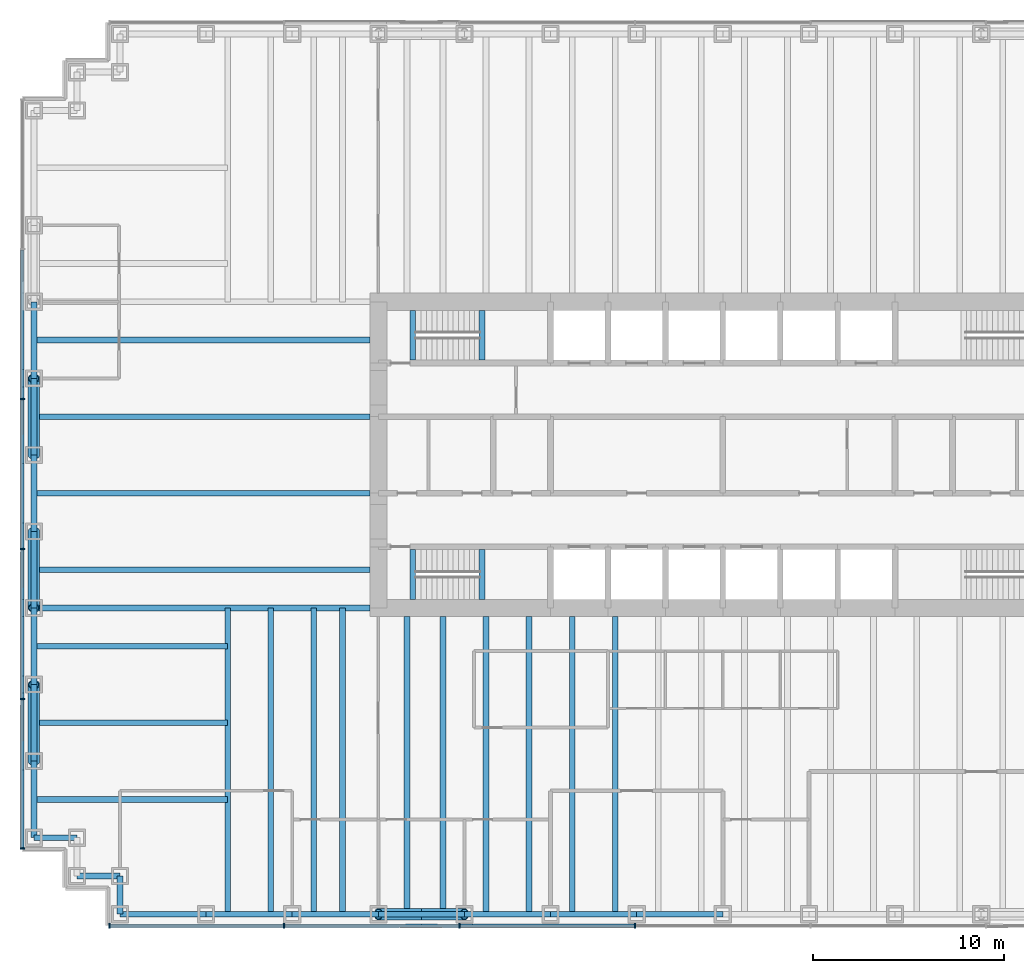
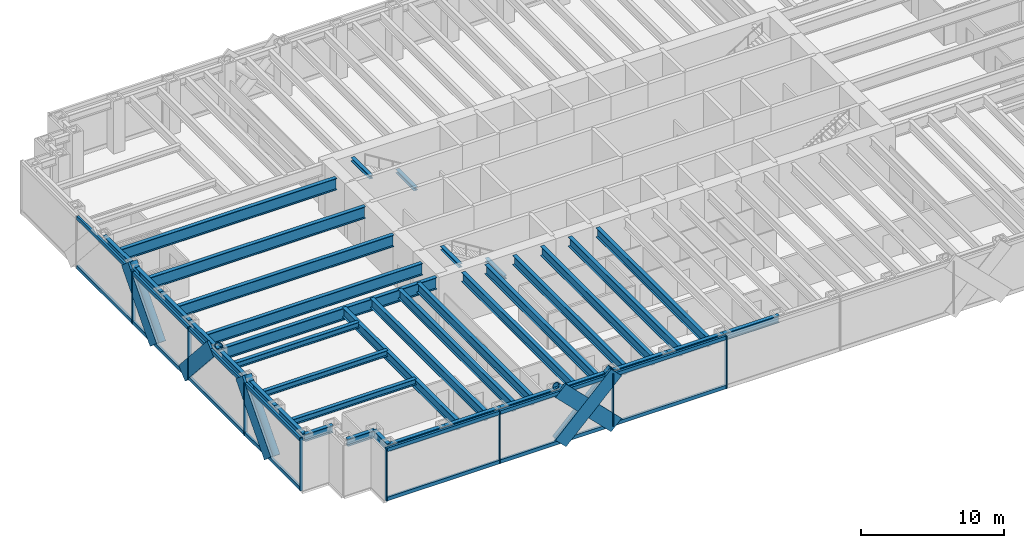
# One storey, part 2 of 13: 39 beams, 32 members, 2 elements without a shape of their own.
"""IFC4 building model written with IfcOpenShell, lengths in metres."""

from ifc_helpers import new_model, si_unit, direction, frame, origin, origin_2d, place, context, subcontext, project, spatial, rectangle, hollow_circle, i_section, extrude, material, material_profile, profile_set, type_object, element, aggregate, save


model = new_model("IFC4")

# Units and contexts
model_context = context("Model", 3, precision=1e-05, world=origin(), true_north=direction((0.0, 1.0)))
body_context = subcontext(model_context, "Body", "Model", "MODEL_VIEW")
ifc_project = project(units=[si_unit("LENGTHUNIT", "METRE"), si_unit("AREAUNIT", "SQUARE_METRE"), si_unit("VOLUMEUNIT", "CUBIC_METRE"), si_unit("PLANEANGLEUNIT", "RADIAN"), si_unit("MASSUNIT", "GRAM", prefix="KILO")], contexts=[model_context])

# Site, building, storey
site_placement = place(None, origin())
site = spatial("IfcSite", under=ifc_project, at=site_placement, CompositionType="ELEMENT")
building_placement = place(site_placement, origin())
building = spatial("IfcBuilding", under=site, at=building_placement, Name="Rheinbord Bourse Tower", CompositionType="ELEMENT")
storey_placement = place(building_placement, frame((0.0, 0.0, 45.5)))
storey = spatial("IfcBuildingStorey", under=building, at=storey_placement, Name="L09", CompositionType="ELEMENT", Elevation=45.5)

# Curtain wall, members
ifc_material_1 = material(Name="Dark glass and black aluminium", Category="aluminium")
curtain_wall_type = type_object("IfcCurtainWallType", Name="CW1 DARK GLASS CURTAIN WALL", PredefinedType="USERDEFINED", material=ifc_material_1)
curtain_wall_1_placement = place(storey_placement, origin())
curtain_wall_1 = element("IfcCurtainWall", 1, at=curtain_wall_1_placement, inside=storey, type_object=curtain_wall_type, Name="Curtain wall CW1 S L09", ObjectType="UNITISED CURTAIN WALL", PredefinedType="USERDEFINED")
ifc_material_2 = material(Name="Black anodised aluminium", Category="aluminium")
ifc_material_profile_1 = material_profile(ifc_material_2, rectangle(XDim=0.179931640625, YDim=1.2099609375, at=origin_2d()), Name="CW1 DIAGONAL MULLION 1210x180")
ifc_profile_set_1 = profile_set([ifc_material_profile_1], Name="Black anodised aluminium")
member_type_1 = type_object("IfcMemberType", Name="CW1 BLACK DIAGONAL MULLION", PredefinedType="USERDEFINED", material=ifc_profile_set_1)
member_1_placement = place(storey_placement, frame((22.5, -0.60009765625, 0.0), z_axis=(-0.707106781187, 0.0, 0.707106781187), x_axis=(0.0, -1.0, 0.0)))
member_1 = element("IfcMember", 2, at=member_1_placement, type_object=member_type_1, Name="CW1 diagonal mullion b", ObjectType="DIAGONAL MULLION", PredefinedType="USERDEFINED", context=body_context, shape_type="SweptSolid", body=[
    extrude(rectangle(XDim=0.179931640625, YDim=1.2099609375, at=origin_2d()), origin(), (0.0, 0.0, 1.0), 6.364013671875),
])
member_2_placement = place(storey_placement, frame((18.0, -0.60009765625, 0.0), z_axis=(0.707106781187, 0.0, 0.707106781187), x_axis=(0.0, 1.0, 0.0)))
member_2 = element("IfcMember", 3, at=member_2_placement, type_object=member_type_1, Name="CW1 diagonal mullion d", ObjectType="DIAGONAL MULLION", PredefinedType="USERDEFINED", context=body_context, shape_type="SweptSolid", body=[
    extrude(rectangle(XDim=0.179931640625, YDim=1.2099609375, at=origin_2d()), origin(), (0.0, 0.0, 1.0), 6.364013671875),
])

curtain_wall_2_placement = place(storey_placement, origin())
curtain_wall_2 = element("IfcCurtainWall", 4, at=curtain_wall_2_placement, inside=storey, type_object=curtain_wall_type, Name="Curtain wall CW1 W L09", ObjectType="UNITISED CURTAIN WALL", PredefinedType="USERDEFINED")
member_3_placement = place(storey_placement, frame((-0.60009765625, 8.0, 0.0), z_axis=(0.0, 0.66436383883, 0.747409318684), x_axis=(-1.0, 0.0, 0.0)))
member_3 = element("IfcMember", 5, at=member_3_placement, type_object=member_type_1, Name="CW1 diagonal mullion b", ObjectType="DIAGONAL MULLION", PredefinedType="USERDEFINED", context=body_context, shape_type="SweptSolid", body=[
    extrude(rectangle(XDim=0.179931640625, YDim=1.2099609375, at=origin_2d()), origin(), (0.0, 0.0, 1.0), 6.020751953125),
])
member_4_placement = place(storey_placement, frame((-0.60009765625, 20.0, 0.0), z_axis=(0.0, -0.66436383883, 0.747409318684), x_axis=(1.0, 0.0, 0.0)))
member_4 = element("IfcMember", 6, at=member_4_placement, type_object=member_type_1, Name="CW1 diagonal mullion c", ObjectType="DIAGONAL MULLION", PredefinedType="USERDEFINED", context=body_context, shape_type="SweptSolid", body=[
    extrude(rectangle(XDim=0.179931640625, YDim=1.2099609375, at=origin_2d()), origin(), (0.0, 0.0, 1.0), 6.020751953125),
])
member_5_placement = place(storey_placement, frame((-0.60009765625, 24.0, 0.0), z_axis=(0.0, 0.66436383883, 0.747409318684), x_axis=(-1.0, 0.0, 0.0)))
member_5 = element("IfcMember", 7, at=member_5_placement, type_object=member_type_1, Name="CW1 diagonal mullion d", ObjectType="DIAGONAL MULLION", PredefinedType="USERDEFINED", context=body_context, shape_type="SweptSolid", body=[
    extrude(rectangle(XDim=0.179931640625, YDim=1.2099609375, at=origin_2d()), origin(), (0.0, 0.0, 1.0), 6.020751953125),
])

# Member
ifc_material_3 = material(Name="Black anodised aluminium", Category="aluminium")
ifc_material_profile_2 = material_profile(ifc_material_3, rectangle(XDim=0.25, YDim=0.080078125, at=origin_2d()), Name="CW1 MULLION 80x250")
ifc_profile_set_2 = profile_set([ifc_material_profile_2], Name="Black anodised aluminium")
member_type_2 = type_object("IfcMemberType", Name="CW1 BLACK MULLION", PredefinedType="MULLION", material=ifc_profile_set_2)
member_6_placement = place(storey_placement, frame((3.93994140625, -0.60009765625, 0.0), z_axis=(0.0, 0.0, 1.0), x_axis=(0.0, 1.0, 0.0)))
member_6 = element("IfcMember", 8, at=member_6_placement, type_object=member_type_2, Name="CW1 mullion 1", PredefinedType="MULLION", context=body_context, shape_type="SweptSolid", body=[
    extrude(rectangle(XDim=0.25, YDim=0.080078125, at=origin_2d()), origin(), (0.0, 0.0, 1.0), 4.5),
])

member_7_placement = place(storey_placement, frame((13.071533203125, -0.60009765625, 0.0), z_axis=(0.0, 0.0, 1.0), x_axis=(0.0, 1.0, 0.0)))
member_7 = element("IfcMember", 9, at=member_7_placement, type_object=member_type_2, Name="CW1 mullion 2", PredefinedType="MULLION", context=body_context, shape_type="SweptSolid", body=[
    extrude(rectangle(XDim=0.25, YDim=0.080078125, at=origin_2d()), origin(), (0.0, 0.0, 1.0), 4.5),
])

member_8_placement = place(storey_placement, frame((22.242919921875, -0.60009765625, 0.0), z_axis=(0.0, 0.0, 1.0), x_axis=(0.0, 1.0, 0.0)))
member_8 = element("IfcMember", 10, at=member_8_placement, type_object=member_type_2, Name="CW1 mullion 3", PredefinedType="MULLION", context=body_context, shape_type="SweptSolid", body=[
    extrude(rectangle(XDim=0.25, YDim=0.080078125, at=origin_2d()), origin(), (0.0, 0.0, 1.0), 4.5),
])

member_9_placement = place(storey_placement, frame((31.414306640625, -0.60009765625, 0.0), z_axis=(0.0, 0.0, 1.0), x_axis=(0.0, 1.0, 0.0)))
member_9 = element("IfcMember", 11, at=member_9_placement, type_object=member_type_2, Name="CW1 mullion 4", PredefinedType="MULLION", context=body_context, shape_type="SweptSolid", body=[
    extrude(rectangle(XDim=0.25, YDim=0.080078125, at=origin_2d()), origin(), (0.0, 0.0, 1.0), 4.5),
])

member_10_placement = place(storey_placement, frame((-0.60009765625, 26.919921875, 0.0), z_axis=(0.0, 0.0, 1.0), x_axis=(1.0, 0.0, 0.0)))
member_10 = element("IfcMember", 12, at=member_10_placement, type_object=member_type_2, Name="CW1 mullion 3", PredefinedType="MULLION", context=body_context, shape_type="SweptSolid", body=[
    extrude(rectangle(XDim=0.25, YDim=0.080078125, at=origin_2d()), origin(), (0.0, 0.0, 1.0), 4.5),
])

member_11_placement = place(storey_placement, frame((-0.60009765625, 19.080078125, 0.0), z_axis=(0.0, 0.0, 1.0), x_axis=(1.0, 0.0, 0.0)))
member_11 = element("IfcMember", 13, at=member_11_placement, type_object=member_type_2, Name="CW1 mullion 4", PredefinedType="MULLION", context=body_context, shape_type="SweptSolid", body=[
    extrude(rectangle(XDim=0.25, YDim=0.080078125, at=origin_2d()), origin(), (0.0, 0.0, 1.0), 4.5),
])

member_12_placement = place(storey_placement, frame((-0.60009765625, 11.239990234375, 0.0), z_axis=(0.0, 0.0, 1.0), x_axis=(1.0, 0.0, 0.0)))
member_12 = element("IfcMember", 14, at=member_12_placement, type_object=member_type_2, Name="CW1 mullion 5", PredefinedType="MULLION", context=body_context, shape_type="SweptSolid", body=[
    extrude(rectangle(XDim=0.25, YDim=0.080078125, at=origin_2d()), origin(), (0.0, 0.0, 1.0), 4.5),
])

member_13_placement = place(storey_placement, frame((-0.60009765625, 3.43994140625, 0.0), z_axis=(0.0, 0.0, 1.0), x_axis=(1.0, 0.0, 0.0)))
member_13 = element("IfcMember", 15, at=member_13_placement, type_object=member_type_2, Name="CW1 mullion 6", PredefinedType="MULLION", context=body_context, shape_type="SweptSolid", body=[
    extrude(rectangle(XDim=0.25, YDim=0.080078125, at=origin_2d()), origin(), (0.0, 0.0, 1.0), 4.5),
])

ifc_material_4 = material(Name="Black anodised aluminium", Category="aluminium")
ifc_material_profile_3 = material_profile(ifc_material_4, rectangle(XDim=0.179931640625, YDim=0.300048828125, at=origin_2d()), Name="CW1 TRANSOM 300x180")
ifc_profile_set_3 = profile_set([ifc_material_profile_3], Name="Black anodised aluminium")
member_type_3 = type_object("IfcMemberType", Name="CW1 BLACK TRANSOM", PredefinedType="USERDEFINED", material=ifc_profile_set_3)
member_14_placement = place(storey_placement, frame((3.97998046875, -0.60009765625, 0.14990234375), z_axis=(1.0, 0.0, 0.0), x_axis=(0.0, 1.0, 0.0)))
member_14 = element("IfcMember", 16, at=member_14_placement, type_object=member_type_3, Name="CW1 transom 1.1", ObjectType="TRANSOM", PredefinedType="USERDEFINED", context=body_context, shape_type="SweptSolid", body=[
    extrude(rectangle(XDim=0.179931640625, YDim=0.300048828125, at=origin_2d()), origin(), (0.0, 0.0, 1.0), 9.051513671875),
])

member_15_placement = place(storey_placement, frame((3.97998046875, -0.60009765625, 4.35009765625), z_axis=(1.0, 0.0, 0.0), x_axis=(0.0, 1.0, 0.0)))
member_15 = element("IfcMember", 17, at=member_15_placement, type_object=member_type_3, Name="CW1 transom 1.2", ObjectType="TRANSOM", PredefinedType="USERDEFINED", context=body_context, shape_type="SweptSolid", body=[
    extrude(rectangle(XDim=0.179931640625, YDim=0.300048828125, at=origin_2d()), origin(), (0.0, 0.0, 1.0), 9.051513671875),
])

member_16_placement = place(storey_placement, frame((13.111328125, -0.60009765625, 0.14990234375), z_axis=(1.0, 0.0, 0.0), x_axis=(0.0, 1.0, 0.0)))
member_16 = element("IfcMember", 18, at=member_16_placement, type_object=member_type_3, Name="CW1 transom 2.1", ObjectType="TRANSOM", PredefinedType="USERDEFINED", context=body_context, shape_type="SweptSolid", body=[
    extrude(rectangle(XDim=0.179931640625, YDim=0.300048828125, at=origin_2d()), origin(), (0.0, 0.0, 1.0), 9.091552734375),
])

member_17_placement = place(storey_placement, frame((13.111328125, -0.60009765625, 4.35009765625), z_axis=(1.0, 0.0, 0.0), x_axis=(0.0, 1.0, 0.0)))
member_17 = element("IfcMember", 19, at=member_17_placement, type_object=member_type_3, Name="CW1 transom 2.2", ObjectType="TRANSOM", PredefinedType="USERDEFINED", context=body_context, shape_type="SweptSolid", body=[
    extrude(rectangle(XDim=0.179931640625, YDim=0.300048828125, at=origin_2d()), origin(), (0.0, 0.0, 1.0), 9.091552734375),
])

member_18_placement = place(storey_placement, frame((22.282958984375, -0.60009765625, 0.14990234375), z_axis=(1.0, 0.0, 0.0), x_axis=(0.0, 1.0, 0.0)))
member_18 = element("IfcMember", 20, at=member_18_placement, type_object=member_type_3, Name="CW1 transom 3.1", ObjectType="TRANSOM", PredefinedType="USERDEFINED", context=body_context, shape_type="SweptSolid", body=[
    extrude(rectangle(XDim=0.179931640625, YDim=0.300048828125, at=origin_2d()), origin(), (0.0, 0.0, 1.0), 9.09130859375),
])

member_19_placement = place(storey_placement, frame((22.282958984375, -0.60009765625, 4.35009765625), z_axis=(1.0, 0.0, 0.0), x_axis=(0.0, 1.0, 0.0)))
member_19 = element("IfcMember", 21, at=member_19_placement, type_object=member_type_3, Name="CW1 transom 3.2", ObjectType="TRANSOM", PredefinedType="USERDEFINED", context=body_context, shape_type="SweptSolid", body=[
    extrude(rectangle(XDim=0.179931640625, YDim=0.300048828125, at=origin_2d()), origin(), (0.0, 0.0, 1.0), 9.09130859375),
])

aggregate(curtain_wall_1, [member_6, member_7, member_8, member_9, member_14, member_15, member_16, member_17, member_18, member_19, member_1, member_2])

member_20_placement = place(storey_placement, frame((-0.60009765625, 34.719970703125, 0.14990234375), z_axis=(0.0, -1.0, 0.0), x_axis=(1.0, 0.0, 0.0)))
member_20 = element("IfcMember", 22, at=member_20_placement, type_object=member_type_3, Name="CW1 transom 2.1", ObjectType="TRANSOM", PredefinedType="USERDEFINED", context=body_context, shape_type="SweptSolid", body=[
    extrude(rectangle(XDim=0.179931640625, YDim=0.300048828125, at=origin_2d()), origin(), (0.0, 0.0, 1.0), 7.760009765625),
])

member_21_placement = place(storey_placement, frame((-0.60009765625, 34.719970703125, 4.35009765625), z_axis=(0.0, -1.0, 0.0), x_axis=(1.0, 0.0, 0.0)))
member_21 = element("IfcMember", 23, at=member_21_placement, type_object=member_type_3, Name="CW1 transom 2.2", ObjectType="TRANSOM", PredefinedType="USERDEFINED", context=body_context, shape_type="SweptSolid", body=[
    extrude(rectangle(XDim=0.179931640625, YDim=0.300048828125, at=origin_2d()), origin(), (0.0, 0.0, 1.0), 7.760009765625),
])

member_22_placement = place(storey_placement, frame((-0.60009765625, 26.8798828125, 0.14990234375), z_axis=(0.0, -1.0, 0.0), x_axis=(1.0, 0.0, 0.0)))
member_22 = element("IfcMember", 24, at=member_22_placement, type_object=member_type_3, Name="CW1 transom 3.1", ObjectType="TRANSOM", PredefinedType="USERDEFINED", context=body_context, shape_type="SweptSolid", body=[
    extrude(rectangle(XDim=0.179931640625, YDim=0.300048828125, at=origin_2d()), origin(), (0.0, 0.0, 1.0), 7.759765625),
])

member_23_placement = place(storey_placement, frame((-0.60009765625, 26.8798828125, 4.35009765625), z_axis=(0.0, -1.0, 0.0), x_axis=(1.0, 0.0, 0.0)))
member_23 = element("IfcMember", 25, at=member_23_placement, type_object=member_type_3, Name="CW1 transom 3.2", ObjectType="TRANSOM", PredefinedType="USERDEFINED", context=body_context, shape_type="SweptSolid", body=[
    extrude(rectangle(XDim=0.179931640625, YDim=0.300048828125, at=origin_2d()), origin(), (0.0, 0.0, 1.0), 7.759765625),
])

member_24_placement = place(storey_placement, frame((-0.60009765625, 19.0400390625, 0.14990234375), z_axis=(0.0, -1.0, 0.0), x_axis=(1.0, 0.0, 0.0)))
member_24 = element("IfcMember", 26, at=member_24_placement, type_object=member_type_3, Name="CW1 transom 4.1", ObjectType="TRANSOM", PredefinedType="USERDEFINED", context=body_context, shape_type="SweptSolid", body=[
    extrude(rectangle(XDim=0.179931640625, YDim=0.300048828125, at=origin_2d()), origin(), (0.0, 0.0, 1.0), 7.760009765625),
])

member_25_placement = place(storey_placement, frame((-0.60009765625, 19.0400390625, 4.35009765625), z_axis=(0.0, -1.0, 0.0), x_axis=(1.0, 0.0, 0.0)))
member_25 = element("IfcMember", 27, at=member_25_placement, type_object=member_type_3, Name="CW1 transom 4.2", ObjectType="TRANSOM", PredefinedType="USERDEFINED", context=body_context, shape_type="SweptSolid", body=[
    extrude(rectangle(XDim=0.179931640625, YDim=0.300048828125, at=origin_2d()), origin(), (0.0, 0.0, 1.0), 7.760009765625),
])

member_26_placement = place(storey_placement, frame((-0.60009765625, 11.199951171875, 0.14990234375), z_axis=(0.0, -1.0, 0.0), x_axis=(1.0, 0.0, 0.0)))
member_26 = element("IfcMember", 28, at=member_26_placement, type_object=member_type_3, Name="CW1 transom 5.1", ObjectType="TRANSOM", PredefinedType="USERDEFINED", context=body_context, shape_type="SweptSolid", body=[
    extrude(rectangle(XDim=0.179931640625, YDim=0.300048828125, at=origin_2d()), origin(), (0.0, 0.0, 1.0), 7.719970703125),
])

member_27_placement = place(storey_placement, frame((-0.60009765625, 11.199951171875, 4.35009765625), z_axis=(0.0, -1.0, 0.0), x_axis=(1.0, 0.0, 0.0)))
member_27 = element("IfcMember", 29, at=member_27_placement, type_object=member_type_3, Name="CW1 transom 5.2", ObjectType="TRANSOM", PredefinedType="USERDEFINED", context=body_context, shape_type="SweptSolid", body=[
    extrude(rectangle(XDim=0.179931640625, YDim=0.300048828125, at=origin_2d()), origin(), (0.0, 0.0, 1.0), 7.719970703125),
])

aggregate(curtain_wall_2, [member_10, member_11, member_12, member_13, member_20, member_21, member_22, member_23, member_24, member_25, member_26, member_27, member_3, member_4, member_5])

# Beams
ifc_material_5 = material(Name="Steel S460", Category="steel")
ifc_material_profile_4 = material_profile(ifc_material_5, i_section(OverallWidth=0.302001953125, OverallDepth=1.008056640625, WebThickness=0.02099609375, FlangeThickness=0.0400390625, at=origin_2d()), Name="HEM 1000")
ifc_profile_set_4 = profile_set([ifc_material_profile_4], Name="Steel S460")
beam_type_1 = type_object("IfcBeamType", Name="END BEAM HEM 1000", PredefinedType="BEAM", material=ifc_profile_set_4)
for number, where, z_axis, x_axis, name in (
    (30, (0.0, 18.0, 3.81591796875), (1.0, 0.0, 0.0), (0.0, 1.0, 0.0), "End beam west 18 L10"),
    (31, (0.0, 22.0, 3.81591796875), (1.0, 0.0, 0.0), (0.0, 1.0, 0.0), "End beam west 22 L10"),
    (32, (0.0, 26.0, 3.81591796875), (1.0, 0.0, 0.0), (0.0, 1.0, 0.0), "End beam west 26 L10"),
    (33, (0.0, 30.0, 3.81591796875), (1.0, 0.0, 0.0), (0.0, 1.0, 0.0), "End beam west 30 L10"),
):
    element("IfcBeam", number, at=place(storey_placement, frame(where, z_axis=z_axis, x_axis=x_axis)), inside=storey, type_object=beam_type_1, Name=name, PredefinedType="BEAM", context=body_context, shape_type="SweptSolid", body=[
        extrude(i_section(OverallWidth=0.302001953125, OverallDepth=1.008056640625, WebThickness=0.02099609375, FlangeThickness=0.0400390625, at=origin_2d()), origin(), (0.0, 0.0, 1.0), 17.550048828125),
    ])
ifc_material_6 = material(Name="Steel S460", Category="steel")
ifc_material_profile_5 = material_profile(ifc_material_6, i_section(OverallWidth=0.300048828125, OverallDepth=0.800048828125, WebThickness=0.017578125, FlangeThickness=0.032958984375, at=origin_2d()), Name="HEB 800")
ifc_profile_set_5 = profile_set([ifc_material_profile_5], Name="Steel S460")
beam_type_2 = type_object("IfcBeamType", Name="FLOOR BEAM HEB 800", PredefinedType="BEAM", material=ifc_profile_set_5)
for number, where, z_axis, x_axis, name in (
    (34, (10.125, 0.0, 3.919921875), (0.0, 1.0, 0.0), (-1.0, 0.0, 0.0), "Floor beam S-9a L10"),
    (35, (12.375, 0.0, 3.919921875), (0.0, 1.0, 0.0), (-1.0, 0.0, 0.0), "Floor beam S-9b L10"),
    (36, (14.625, 0.0, 3.919921875), (0.0, 1.0, 0.0), (-1.0, 0.0, 0.0), "Floor beam S-13.5a L10"),
    (37, (16.125, 0.0, 3.919921875), (0.0, 1.0, 0.0), (-1.0, 0.0, 0.0), "Floor beam S-13.5b L10"),
):
    element("IfcBeam", number, at=place(storey_placement, frame(where, z_axis=z_axis, x_axis=x_axis)), inside=storey, type_object=beam_type_2, Name=name, PredefinedType="BEAM", context=body_context, shape_type="SweptSolid", body=[
        extrude(i_section(OverallWidth=0.300048828125, OverallDepth=0.800048828125, WebThickness=0.017578125, FlangeThickness=0.032958984375, at=origin_2d()), origin(), (0.0, 0.0, 1.0), 16.0),
    ])
for number, where, z_axis, x_axis, name in (
    (38, (19.5, 0.0, 3.919921875), (0.0, 1.0, 0.0), (-1.0, 0.0, 0.0), "Floor beam S-18a L10"),
    (39, (21.375, 0.0, 3.919921875), (0.0, 1.0, 0.0), (-1.0, 0.0, 0.0), "Floor beam S-18b L10"),
    (40, (23.625, 0.0, 3.919921875), (0.0, 1.0, 0.0), (-1.0, 0.0, 0.0), "Floor beam S-22.5a L10"),
    (41, (25.875, 0.0, 3.919921875), (0.0, 1.0, 0.0), (-1.0, 0.0, 0.0), "Floor beam S-22.5b L10"),
    (42, (28.125, 0.0, 3.919921875), (0.0, 1.0, 0.0), (-1.0, 0.0, 0.0), "Floor beam S-27a L10"),
    (43, (30.375, 0.0, 3.919921875), (0.0, 1.0, 0.0), (-1.0, 0.0, 0.0), "Floor beam S-27b L10"),
):
    element("IfcBeam", number, at=place(storey_placement, frame(where, z_axis=z_axis, x_axis=x_axis)), inside=storey, type_object=beam_type_2, Name=name, PredefinedType="BEAM", context=body_context, shape_type="SweptSolid", body=[
        extrude(i_section(OverallWidth=0.300048828125, OverallDepth=0.800048828125, WebThickness=0.017578125, FlangeThickness=0.032958984375, at=origin_2d()), origin(), (0.0, 0.0, 1.0), 15.550048828125),
    ])
ifc_material_7 = material(Name="Steel S460", Category="steel")
ifc_material_profile_6 = material_profile(ifc_material_7, i_section(OverallWidth=0.302001953125, OverallDepth=1.008056640625, WebThickness=0.02099609375, FlangeThickness=0.0400390625, at=origin_2d()), Name="HEM 1000")
ifc_profile_set_6 = profile_set([ifc_material_profile_6], Name="Steel S460")
beam_type_3 = type_object("IfcBeamType", Name="GIRDER HEM 1000", PredefinedType="BEAM", material=ifc_profile_set_6)
beam_1_placement = place(storey_placement, frame((0.0, 16.0, 3.81591796875), z_axis=(1.0, 0.0, 0.0), x_axis=(0.0, 1.0, 0.0)))
element("IfcBeam", 44, at=beam_1_placement, inside=storey, type_object=beam_type_3, Name="Girder west 16 L10", PredefinedType="BEAM", context=body_context, shape_type="SweptSolid", body=[
    extrude(i_section(OverallWidth=0.302001953125, OverallDepth=1.008056640625, WebThickness=0.02099609375, FlangeThickness=0.0400390625, at=origin_2d()), origin(), (0.0, 0.0, 1.0), 17.550048828125),
])
ifc_material_8 = material(Name="Steel S460", Category="steel")
ifc_material_profile_7 = material_profile(ifc_material_8, i_section(OverallWidth=0.300048828125, OverallDepth=0.300048828125, WebThickness=0.010986328125, FlangeThickness=0.01904296875, at=origin_2d()), Name="HEB 300")
ifc_profile_set_7 = profile_set([ifc_material_profile_7], Name="Steel S460")
beam_type_4 = type_object("IfcBeamType", Name="LANDING TRIMMER HEB 300", PredefinedType="BEAM", material=ifc_profile_set_7)
for number, where, z_axis, x_axis, name in (
    (45, (23.409912109375, 16.449951171875, 1.89990234375), (0.0, 1.0, 0.0), (-1.0, 0.0, 0.0), "Landing trimmer ST1 L09"),
    (46, (19.800048828125, 16.449951171875, 4.169921875), (0.0, 1.0, 0.0), (-1.0, 0.0, 0.0), "Well trimmer ST1 under L10"),
    (47, (23.409912109375, 28.949951171875, 1.89990234375), (0.0, 1.0, 0.0), (-1.0, 0.0, 0.0), "Landing trimmer ST2 L09"),
    (48, (19.800048828125, 28.949951171875, 4.169921875), (0.0, 1.0, 0.0), (-1.0, 0.0, 0.0), "Well trimmer ST2 under L10"),
):
    element("IfcBeam", number, at=place(storey_placement, frame(where, z_axis=z_axis, x_axis=x_axis)), inside=storey, type_object=beam_type_4, Name=name, PredefinedType="BEAM", context=body_context, shape_type="SweptSolid", body=[
        extrude(i_section(OverallWidth=0.300048828125, OverallDepth=0.300048828125, WebThickness=0.010986328125, FlangeThickness=0.01904296875, at=origin_2d()), origin(), (0.0, 0.0, 1.0), 2.60009765625),
    ])

# Members
ifc_material_9 = material(Name="Steel S460", Category="steel")
ifc_material_profile_8 = material_profile(ifc_material_9, hollow_circle(Radius=0.304931640625, WallThickness=0.050048828125, at=origin_2d()), Name="CHS 610x50")
ifc_profile_set_8 = profile_set([ifc_material_profile_8], Name="Steel S460")
member_type_4 = type_object("IfcMemberType", Name="MEGABRACE CHS 610x50", PredefinedType="BRACE", material=ifc_profile_set_8)
for number, where, z_axis, x_axis, name in (
    (49, (22.5, 0.0, 0.0), (-0.707106781187, 0.0, 0.707106781187), (0.0, -1.0, 0.0), "Megabrace S face line b L09"),
    (50, (18.0, 0.0, 0.0), (0.707106781187, 0.0, 0.707106781187), (0.0, 1.0, 0.0), "Megabrace S face line d L09"),
):
    element("IfcMember", number, at=place(storey_placement, frame(where, z_axis=z_axis, x_axis=x_axis)), inside=storey, type_object=member_type_4, Name=name, PredefinedType="BRACE", context=body_context, shape_type="SweptSolid", body=[
        extrude(hollow_circle(Radius=0.304931640625, WallThickness=0.050048828125, at=origin_2d()), origin(), (0.0, 0.0, 1.0), 6.364013671875),
    ])
for number, where, z_axis, x_axis, name in (
    (51, (0.0, 8.0, 0.0), (0.0, 0.66436383883, 0.747409318684), (-1.0, 0.0, 0.0), "Megabrace W face line b L09"),
    (52, (0.0, 20.0, 0.0), (0.0, -0.66436383883, 0.747409318684), (1.0, 0.0, 0.0), "Megabrace W face line c L09"),
    (53, (0.0, 24.0, 0.0), (0.0, 0.66436383883, 0.747409318684), (-1.0, 0.0, 0.0), "Megabrace W face line d L09"),
):
    element("IfcMember", number, at=place(storey_placement, frame(where, z_axis=z_axis, x_axis=x_axis)), inside=storey, type_object=member_type_4, Name=name, PredefinedType="BRACE", context=body_context, shape_type="SweptSolid", body=[
        extrude(hollow_circle(Radius=0.304931640625, WallThickness=0.050048828125, at=origin_2d()), origin(), (0.0, 0.0, 1.0), 6.020751953125),
    ])

# Beams
ifc_material_10 = material(Name="Steel S460", Category="steel")
ifc_material_profile_9 = material_profile(ifc_material_10, i_section(OverallWidth=0.304931640625, OverallDepth=0.6201171875, WebThickness=0.02099609375, FlangeThickness=0.0400390625, at=origin_2d()), Name="HEM 600")
ifc_profile_set_9 = profile_set([ifc_material_profile_9], Name="Steel S460")
beam_type_5 = type_object("IfcBeamType", Name="SPANDREL HEM 600", PredefinedType="SPANDREL", material=ifc_profile_set_9)
for number, where, z_axis, x_axis, name in (
    (54, (4.5, 0.0, 4.010009765625), (1.0, 0.0, 0.0), (0.0, 1.0, 0.0), "Spandrel SW-E-S-9 under L10"),
    (55, (9.0, 0.0, 4.010009765625), (1.0, 0.0, 0.0), (0.0, 1.0, 0.0), "Spandrel S-9-S-13.5 under L10"),
    (56, (13.5, 0.0, 4.010009765625), (1.0, 0.0, 0.0), (0.0, 1.0, 0.0), "Spandrel S-13.5-S-18 under L10"),
    (57, (18.0, 0.0, 4.010009765625), (1.0, 0.0, 0.0), (0.0, 1.0, 0.0), "Spandrel S-18-S-22.5 under L10"),
    (58, (22.5, 0.0, 4.010009765625), (1.0, 0.0, 0.0), (0.0, 1.0, 0.0), "Spandrel S-22.5-S-27 under L10"),
    (59, (27.0, 0.0, 4.010009765625), (1.0, 0.0, 0.0), (0.0, 1.0, 0.0), "Spandrel S-27-S-31.5 under L10"),
    (60, (31.5, 0.0, 4.010009765625), (1.0, 0.0, 0.0), (0.0, 1.0, 0.0), "Spandrel S-31.5-S-36 under L10"),
):
    element("IfcBeam", number, at=place(storey_placement, frame(where, z_axis=z_axis, x_axis=x_axis)), inside=storey, type_object=beam_type_5, Name=name, PredefinedType="SPANDREL", context=body_context, shape_type="SweptSolid", body=[
        extrude(i_section(OverallWidth=0.304931640625, OverallDepth=0.6201171875, WebThickness=0.02099609375, FlangeThickness=0.0400390625, at=origin_2d()), origin(), (0.0, 0.0, 1.0), 4.5),
    ])
for number, where, z_axis, x_axis, name in (
    (61, (0.0, 32.0, 4.010009765625), (0.0, -1.0, 0.0), (1.0, 0.0, 0.0), "Spandrel W-32-W-28 under L10"),
    (62, (0.0, 28.0, 4.010009765625), (0.0, -1.0, 0.0), (1.0, 0.0, 0.0), "Spandrel W-28-W-24 under L10"),
    (63, (0.0, 24.0, 4.010009765625), (0.0, -1.0, 0.0), (1.0, 0.0, 0.0), "Spandrel W-24-W-20 under L10"),
    (64, (0.0, 20.0, 4.010009765625), (0.0, -1.0, 0.0), (1.0, 0.0, 0.0), "Spandrel W-20-W-16 under L10"),
    (65, (0.0, 16.0, 4.010009765625), (0.0, -1.0, 0.0), (1.0, 0.0, 0.0), "Spandrel W-16-W-12 under L10"),
    (66, (0.0, 12.0, 4.010009765625), (0.0, -1.0, 0.0), (1.0, 0.0, 0.0), "Spandrel W-12-W-8 under L10"),
    (67, (0.0, 8.0, 4.010009765625), (0.0, -1.0, 0.0), (1.0, 0.0, 0.0), "Spandrel W-8-SW-A under L10"),
):
    element("IfcBeam", number, at=place(storey_placement, frame(where, z_axis=z_axis, x_axis=x_axis)), inside=storey, type_object=beam_type_5, Name=name, PredefinedType="SPANDREL", context=body_context, shape_type="SweptSolid", body=[
        extrude(i_section(OverallWidth=0.304931640625, OverallDepth=0.6201171875, WebThickness=0.02099609375, FlangeThickness=0.0400390625, at=origin_2d()), origin(), (0.0, 0.0, 1.0), 4.0),
    ])
for number, where, z_axis, x_axis, name in (
    (68, (0.0, 4.0, 4.010009765625), (1.0, 0.0, 0.0), (0.0, 1.0, 0.0), "Spandrel SW-A-SW-B under L10"),
    (69, (2.25, 2.0, 4.010009765625), (1.0, 0.0, 0.0), (0.0, 1.0, 0.0), "Spandrel SW-C-SW-D under L10"),
):
    element("IfcBeam", number, at=place(storey_placement, frame(where, z_axis=z_axis, x_axis=x_axis)), inside=storey, type_object=beam_type_5, Name=name, PredefinedType="SPANDREL", context=body_context, shape_type="SweptSolid", body=[
        extrude(i_section(OverallWidth=0.304931640625, OverallDepth=0.6201171875, WebThickness=0.02099609375, FlangeThickness=0.0400390625, at=origin_2d()), origin(), (0.0, 0.0, 1.0), 2.25),
    ])
beam_2_placement = place(storey_placement, frame((4.5, 2.0, 4.010009765625), z_axis=(0.0, -1.0, 0.0), x_axis=(1.0, 0.0, 0.0)))
element("IfcBeam", 70, at=beam_2_placement, inside=storey, type_object=beam_type_5, Name="Spandrel SW-D-SW-E under L10", PredefinedType="SPANDREL", context=body_context, shape_type="SweptSolid", body=[
    extrude(i_section(OverallWidth=0.304931640625, OverallDepth=0.6201171875, WebThickness=0.02099609375, FlangeThickness=0.0400390625, at=origin_2d()), origin(), (0.0, 0.0, 1.0), 2.0),
])
ifc_material_11 = material(Name="Steel S460", Category="steel")
ifc_material_profile_10 = material_profile(ifc_material_11, i_section(OverallWidth=0.300048828125, OverallDepth=0.5, WebThickness=0.014404296875, FlangeThickness=0.028076171875, at=origin_2d()), Name="HEB 500")
ifc_profile_set_10 = profile_set([ifc_material_profile_10], Name="Steel S460")
beam_type_6 = type_object("IfcBeamType", Name="TIE BEAM HEB 500", PredefinedType="JOIST", material=ifc_profile_set_10)
for number, where, z_axis, x_axis, name in (
    (71, (0.0, 6.0, 4.070068359375), (1.0, 0.0, 0.0), (0.0, 1.0, 0.0), "Tie west 6 L10"),
    (72, (0.0, 10.0, 4.070068359375), (1.0, 0.0, 0.0), (0.0, 1.0, 0.0), "Tie west 10 L10"),
    (73, (0.0, 14.0, 4.070068359375), (1.0, 0.0, 0.0), (0.0, 1.0, 0.0), "Tie west 14 L10"),
):
    element("IfcBeam", number, at=place(storey_placement, frame(where, z_axis=z_axis, x_axis=x_axis)), inside=storey, type_object=beam_type_6, Name=name, PredefinedType="JOIST", context=body_context, shape_type="SweptSolid", body=[
        extrude(i_section(OverallWidth=0.300048828125, OverallDepth=0.5, WebThickness=0.014404296875, FlangeThickness=0.028076171875, at=origin_2d()), origin(), (0.0, 0.0, 1.0), 10.125),
    ])

save(model, "model.ifc")
